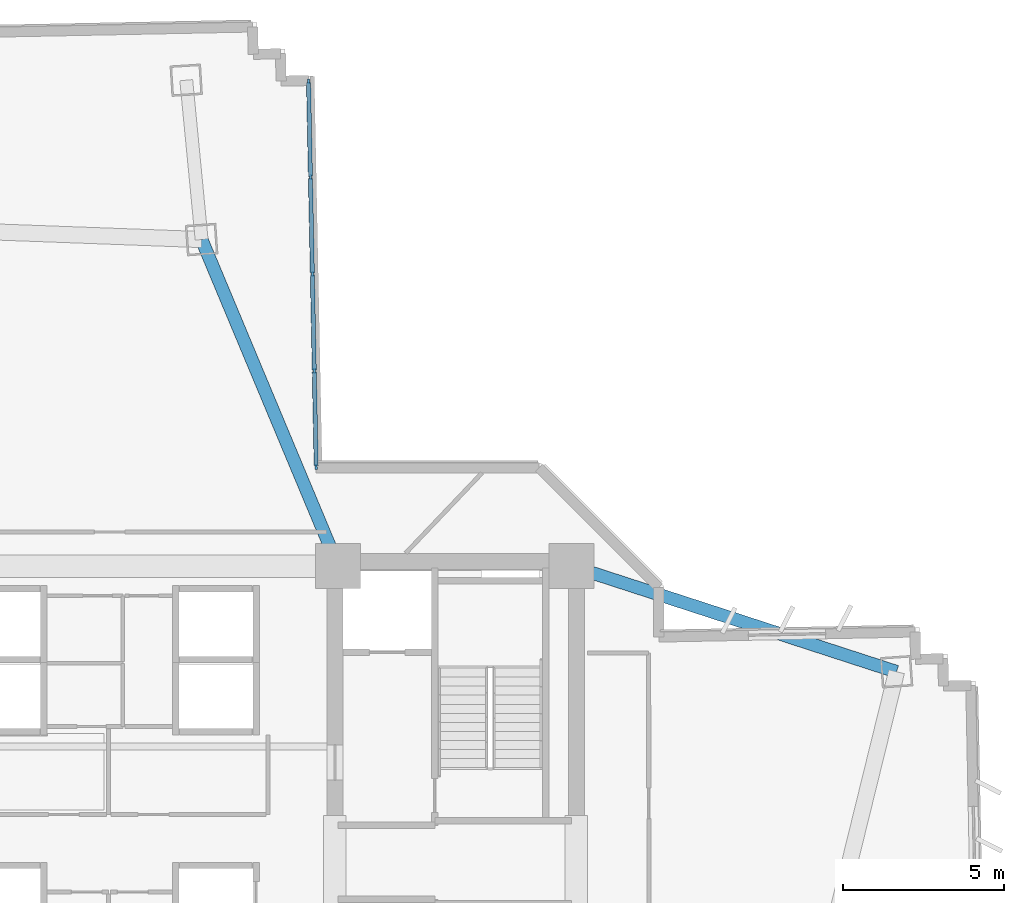
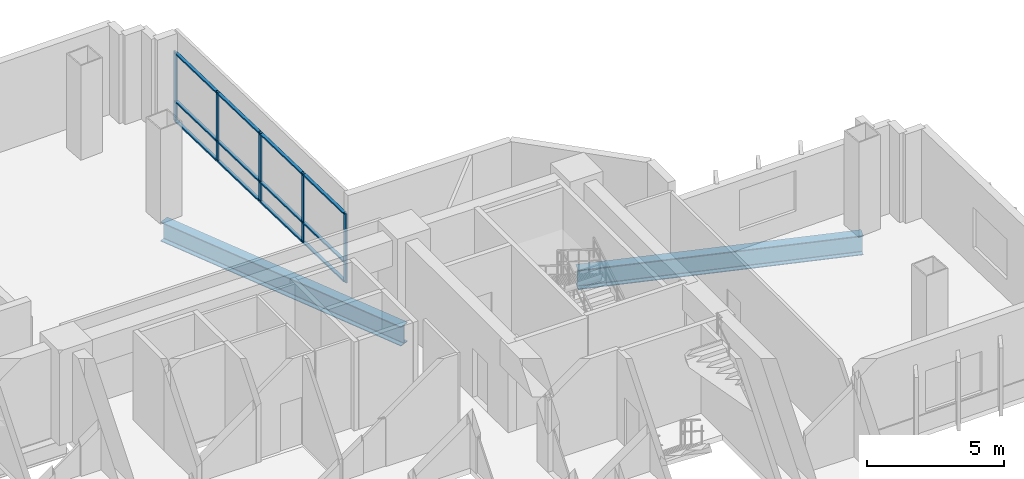
# One storey, part 4 of 15: 17 members, 2 beams, 1 element without a shape of its own.
"""IFC4 building model written with IfcOpenShell, lengths in metres."""

from ifc_helpers import new_model, si_unit, direction, frame, origin, origin_2d, place, context, subcontext, project, spatial, rectangle, i_section, extrude, source, transform, mapped, material, layer, layer_set, material_profile, profile_set, type_object, element, aggregate, save


model = new_model("IFC4")

# Units and contexts
model_context = context("Model", 3, precision=1e-05, world=origin(), true_north=direction((0.0, 1.0)))
body_context = subcontext(model_context, "Body", "Model", "MODEL_VIEW")
ifc_project = project(units=[si_unit("LENGTHUNIT", "METRE"), si_unit("AREAUNIT", "SQUARE_METRE"), si_unit("VOLUMEUNIT", "CUBIC_METRE"), si_unit("PLANEANGLEUNIT", "RADIAN"), si_unit("MASSUNIT", "GRAM", prefix="KILO")], contexts=[model_context])

# Site, building, storey
site_placement = place(None, origin())
site = spatial("IfcSite", under=ifc_project, at=site_placement, CompositionType="ELEMENT")
building_placement = place(site_placement, origin())
building = spatial("IfcBuilding", under=site, at=building_placement, Name="Zahravan Cultural Tower", CompositionType="ELEMENT")
storey_placement = place(building_placement, frame((0.0, 0.0, 45.89990234375)))
storey = spatial("IfcBuildingStorey", under=building, at=storey_placement, Name="L09", CompositionType="ELEMENT", Elevation=45.89990234375)

# Beams
ifc_material_1 = material(Name="Steel ASTM A992 Grade 50", Category="steel")
ifc_material_profile_1 = material_profile(ifc_material_1, i_section(OverallWidth=0.39990234375, OverallDepth=0.862060546875, WebThickness=0.019775390625, FlangeThickness=0.032470703125, FilletRadius=0.02001953125, at=origin_2d()), Name="W33X221")
ifc_profile_set_1 = profile_set([ifc_material_profile_1], Name="Steel ASTM A992 Grade 50")
beam_type = type_object("IfcBeamType", Name="BM-G-W33X221", PredefinedType="BEAM", material=ifc_profile_set_1)
shared_shape_1 = source(origin(), body_context, "Body", "SweptSolid", [
    extrude(i_section(OverallWidth=0.39990234375, OverallDepth=0.862060546875, WebThickness=0.019775390625, FlangeThickness=0.032470703125, FilletRadius=0.02001953125, at=origin_2d()), origin(), (0.0, 0.0, 1.0), 10.615966796875),
])
beam_1_placement = place(storey_placement, frame((50.35009765625, 36.199951171875, -0.680908203125), z_axis=(0.951063640083, -0.30899506875, 0.0), x_axis=(0.30899506875, 0.951063640083, 0.0)))
element("IfcBeam", 1, at=beam_1_placement, inside=storey, type_object=beam_type, Name="L09 Beam BG-L09-11", PredefinedType="BEAM", context=body_context, shape_type="MappedRepresentation", body=[
    mapped(shared_shape_1, transform((0.0, 0.0, 0.0), x_axis=(1.0, 0.0, 0.0), y_axis=(0.0, 1.0, 0.0), z_axis=(0.0, 0.0, 1.0), scale=1.0)),
])
shared_shape_2 = source(origin(), body_context, "Body", "SweptSolid", [
    extrude(i_section(OverallWidth=0.39990234375, OverallDepth=0.862060546875, WebThickness=0.019775390625, FlangeThickness=0.032470703125, FilletRadius=0.02001953125, at=origin_2d()), origin(), (0.0, 0.0, 1.0), 10.997802734375),
])
beam_2_placement = place(storey_placement, frame((43.10009765625, 36.199951171875, -0.680908203125), z_axis=(-0.385775211449, 0.922592806297, 0.0), x_axis=(-0.922592806297, -0.385775211449, 0.0)))
element("IfcBeam", 2, at=beam_2_placement, inside=storey, type_object=beam_type, Name="L09 Beam BG-L09-12", PredefinedType="BEAM", context=body_context, shape_type="MappedRepresentation", body=[
    mapped(shared_shape_2, transform((0.0, 0.0, 0.0), x_axis=(1.0, 0.0, 0.0), y_axis=(0.0, 1.0, 0.0), z_axis=(0.0, 0.0, 1.0), scale=1.0)),
])

# Curtain wall, members
ifc_material_2 = material(Name="Anodised bronze-aluminium mullion", Category="aluminium")
ifc_layer = layer(ifc_material_2, 0.1650390625)
ifc_layer_set = layer_set([ifc_layer], Name="Anodised bronze-aluminium mullion")
curtain_wall_type = type_object("IfcCurtainWallType", Name="CW-SYS-4", PredefinedType="USERDEFINED", material=ifc_layer_set)
curtain_wall_placement = place(storey_placement, origin())
curtain_wall = element("IfcCurtainWall", 3, at=curtain_wall_placement, inside=storey, type_object=curtain_wall_type, Name="L09 Recessed Curtain Wall CW-4.2", ObjectType="RECESSED GLAZING", PredefinedType="USERDEFINED")
ifc_material_profile_2 = material_profile(ifc_material_2, rectangle(XDim=0.06494140625, YDim=0.1650390625, at=origin_2d()), Name="AL-M65X165")
ifc_profile_set_2 = profile_set([ifc_material_profile_2], Name="Anodised bronze-aluminium mullion")
member_type_1 = type_object("IfcMemberType", Name="CWM-CW-4", PredefinedType="MULLION", material=ifc_profile_set_2)
shared_shape_3 = source(origin(), body_context, "Body", "SweptSolid", [
    extrude(rectangle(XDim=0.06494140625, YDim=0.1650390625, at=origin_2d()), origin(), (0.0, 0.0, 1.0), 3.070068359375),
])
member_1_placement = place(storey_placement, frame((42.1787109375, 51.255126953125, 0.0), z_axis=(0.0, 0.0, 1.0), x_axis=(0.999801973139, 0.019900113269, 0.0)))
member_1 = element("IfcMember", 4, at=member_1_placement, type_object=member_type_1, Name="CW-4 mullion 1", PredefinedType="MULLION", context=body_context, shape_type="MappedRepresentation", body=[
    mapped(shared_shape_3, transform((0.0, 0.0, 0.0), x_axis=(1.0, 0.0, 0.0), y_axis=(0.0, 1.0, 0.0), z_axis=(0.0, 0.0, 1.0), scale=1.0)),
])
member_2_placement = place(storey_placement, frame((42.23779296875, 48.28076171875, 0.0), z_axis=(0.0, 0.0, 1.0), x_axis=(0.999801973139, 0.019900113269, 0.0)))
member_2 = element("IfcMember", 5, at=member_2_placement, type_object=member_type_1, Name="CW-4 mullion 2", PredefinedType="MULLION", context=body_context, shape_type="MappedRepresentation", body=[
    mapped(shared_shape_3, transform((0.0, 0.0, 0.0), x_axis=(1.0, 0.0, 0.0), y_axis=(0.0, 1.0, 0.0), z_axis=(0.0, 0.0, 1.0), scale=1.0)),
])
member_3_placement = place(storey_placement, frame((42.297607421875, 45.27392578125, 0.0), z_axis=(0.0, 0.0, 1.0), x_axis=(0.999801973139, 0.019900113269, 0.0)))
member_3 = element("IfcMember", 6, at=member_3_placement, type_object=member_type_1, Name="CW-4 mullion 3", PredefinedType="MULLION", context=body_context, shape_type="MappedRepresentation", body=[
    mapped(shared_shape_3, transform((0.0, 0.0, 0.0), x_axis=(1.0, 0.0, 0.0), y_axis=(0.0, 1.0, 0.0), z_axis=(0.0, 0.0, 1.0), scale=1.0)),
])
member_4_placement = place(storey_placement, frame((42.357666015625, 42.266845703125, 0.0), z_axis=(0.0, 0.0, 1.0), x_axis=(0.999801973139, 0.019900113269, 0.0)))
member_4 = element("IfcMember", 7, at=member_4_placement, type_object=member_type_1, Name="CW-4 mullion 4", PredefinedType="MULLION", context=body_context, shape_type="MappedRepresentation", body=[
    mapped(shared_shape_3, transform((0.0, 0.0, 0.0), x_axis=(1.0, 0.0, 0.0), y_axis=(0.0, 1.0, 0.0), z_axis=(0.0, 0.0, 1.0), scale=1.0)),
])
member_5_placement = place(storey_placement, frame((42.416748046875, 39.29248046875, 0.0), z_axis=(0.0, 0.0, 1.0), x_axis=(0.999801973139, 0.019900113269, 0.0)))
member_5 = element("IfcMember", 8, at=member_5_placement, type_object=member_type_1, Name="CW-4 mullion 5", PredefinedType="MULLION", context=body_context, shape_type="MappedRepresentation", body=[
    mapped(shared_shape_3, transform((0.0, 0.0, 0.0), x_axis=(1.0, 0.0, 0.0), y_axis=(0.0, 1.0, 0.0), z_axis=(0.0, 0.0, 1.0), scale=1.0)),
])
ifc_material_profile_3 = material_profile(ifc_material_2, rectangle(XDim=0.1298828125, YDim=0.06494140625, at=origin_2d()), Name="AL-T65X130")
ifc_profile_set_3 = profile_set([ifc_material_profile_3], Name="Anodised bronze-aluminium mullion")
member_type_2 = type_object("IfcMemberType", Name="CWT-CW-4", PredefinedType="USERDEFINED", material=ifc_profile_set_3)
shared_shape_4 = source(origin(), body_context, "Body", "SweptSolid", [
    extrude(rectangle(XDim=0.1298828125, YDim=0.06494140625, at=origin_2d()), origin(), (0.0, 0.0, 1.0), 2.909912109375),
])
member_6_placement = place(storey_placement, frame((42.17919921875, 51.22265625, 0.03271484375), z_axis=(0.019967487615, -0.999800629845, 0.0), x_axis=(0.999800629845, 0.019967487615, 0.0)))
member_6 = element("IfcMember", 9, at=member_6_placement, type_object=member_type_2, Name="CW-4 transom 1.1", ObjectType="TRANSOM", PredefinedType="USERDEFINED", context=body_context, shape_type="MappedRepresentation", body=[
    mapped(shared_shape_4, transform((0.0, 0.0, 0.0), x_axis=(1.0, 0.0, 0.0), y_axis=(0.0, 1.0, 0.0), z_axis=(0.0, 0.0, 1.0), scale=1.0)),
])
member_7_placement = place(storey_placement, frame((42.17919921875, 51.22265625, 0.900146484375), z_axis=(0.019967487615, -0.999800629845, 0.0), x_axis=(0.999800629845, 0.019967487615, 0.0)))
member_7 = element("IfcMember", 10, at=member_7_placement, type_object=member_type_2, Name="CW-4 transom 1.2", ObjectType="TRANSOM", PredefinedType="USERDEFINED", context=body_context, shape_type="MappedRepresentation", body=[
    mapped(shared_shape_4, transform((0.0, 0.0, 0.0), x_axis=(1.0, 0.0, 0.0), y_axis=(0.0, 1.0, 0.0), z_axis=(0.0, 0.0, 1.0), scale=1.0)),
])
member_8_placement = place(storey_placement, frame((42.17919921875, 51.22265625, 3.03759765625), z_axis=(0.019967487615, -0.999800629845, 0.0), x_axis=(0.999800629845, 0.019967487615, 0.0)))
member_8 = element("IfcMember", 11, at=member_8_placement, type_object=member_type_2, Name="CW-4 transom 1.3", ObjectType="TRANSOM", PredefinedType="USERDEFINED", context=body_context, shape_type="MappedRepresentation", body=[
    mapped(shared_shape_4, transform((0.0, 0.0, 0.0), x_axis=(1.0, 0.0, 0.0), y_axis=(0.0, 1.0, 0.0), z_axis=(0.0, 0.0, 1.0), scale=1.0)),
])
member_9_placement = place(storey_placement, frame((42.358154296875, 42.234375, 0.03271484375), z_axis=(0.019883623847, -0.999802301209, 0.0), x_axis=(0.999802301209, 0.019883623847, 0.0)))
member_9 = element("IfcMember", 12, at=member_9_placement, type_object=member_type_2, Name="CW-4 transom 4.1", ObjectType="TRANSOM", PredefinedType="USERDEFINED", context=body_context, shape_type="MappedRepresentation", body=[
    mapped(shared_shape_4, transform((0.0, 0.0, 0.0), x_axis=(1.0, 0.0, 0.0), y_axis=(0.0, 1.0, 0.0), z_axis=(0.0, 0.0, 1.0), scale=1.0)),
])
member_10_placement = place(storey_placement, frame((42.358154296875, 42.234375, 0.900146484375), z_axis=(0.019883623847, -0.999802301209, 0.0), x_axis=(0.999802301209, 0.019883623847, 0.0)))
member_10 = element("IfcMember", 13, at=member_10_placement, type_object=member_type_2, Name="CW-4 transom 4.2", ObjectType="TRANSOM", PredefinedType="USERDEFINED", context=body_context, shape_type="MappedRepresentation", body=[
    mapped(shared_shape_4, transform((0.0, 0.0, 0.0), x_axis=(1.0, 0.0, 0.0), y_axis=(0.0, 1.0, 0.0), z_axis=(0.0, 0.0, 1.0), scale=1.0)),
])
member_11_placement = place(storey_placement, frame((42.358154296875, 42.234375, 3.03759765625), z_axis=(0.019883623847, -0.999802301209, 0.0), x_axis=(0.999802301209, 0.019883623847, 0.0)))
member_11 = element("IfcMember", 14, at=member_11_placement, type_object=member_type_2, Name="CW-4 transom 4.3", ObjectType="TRANSOM", PredefinedType="USERDEFINED", context=body_context, shape_type="MappedRepresentation", body=[
    mapped(shared_shape_4, transform((0.0, 0.0, 0.0), x_axis=(1.0, 0.0, 0.0), y_axis=(0.0, 1.0, 0.0), z_axis=(0.0, 0.0, 1.0), scale=1.0)),
])
shared_shape_5 = source(origin(), body_context, "Body", "SweptSolid", [
    extrude(rectangle(XDim=0.1298828125, YDim=0.06494140625, at=origin_2d()), origin(), (0.0, 0.0, 1.0), 2.9423828125),
])
member_12_placement = place(storey_placement, frame((42.238525390625, 48.248291015625, 0.03271484375), z_axis=(0.019913063209, -0.999801715298, 0.0), x_axis=(0.999801715298, 0.019913063209, 0.0)))
member_12 = element("IfcMember", 15, at=member_12_placement, type_object=member_type_2, Name="CW-4 transom 2.1", ObjectType="TRANSOM", PredefinedType="USERDEFINED", context=body_context, shape_type="MappedRepresentation", body=[
    mapped(shared_shape_5, transform((0.0, 0.0, 0.0), x_axis=(1.0, 0.0, 0.0), y_axis=(0.0, 1.0, 0.0), z_axis=(0.0, 0.0, 1.0), scale=1.0)),
])
member_13_placement = place(storey_placement, frame((42.238525390625, 48.248291015625, 0.900146484375), z_axis=(0.019913063209, -0.999801715298, 0.0), x_axis=(0.999801715298, 0.019913063209, 0.0)))
member_13 = element("IfcMember", 16, at=member_13_placement, type_object=member_type_2, Name="CW-4 transom 2.2", ObjectType="TRANSOM", PredefinedType="USERDEFINED", context=body_context, shape_type="MappedRepresentation", body=[
    mapped(shared_shape_5, transform((0.0, 0.0, 0.0), x_axis=(1.0, 0.0, 0.0), y_axis=(0.0, 1.0, 0.0), z_axis=(0.0, 0.0, 1.0), scale=1.0)),
])
member_14_placement = place(storey_placement, frame((42.238525390625, 48.248291015625, 3.03759765625), z_axis=(0.019913063209, -0.999801715298, 0.0), x_axis=(0.999801715298, 0.019913063209, 0.0)))
member_14 = element("IfcMember", 17, at=member_14_placement, type_object=member_type_2, Name="CW-4 transom 2.3", ObjectType="TRANSOM", PredefinedType="USERDEFINED", context=body_context, shape_type="MappedRepresentation", body=[
    mapped(shared_shape_5, transform((0.0, 0.0, 0.0), x_axis=(1.0, 0.0, 0.0), y_axis=(0.0, 1.0, 0.0), z_axis=(0.0, 0.0, 1.0), scale=1.0)),
])
shared_shape_6 = source(origin(), body_context, "Body", "SweptSolid", [
    extrude(rectangle(XDim=0.1298828125, YDim=0.06494140625, at=origin_2d()), origin(), (0.0, 0.0, 1.0), 2.942626953125),
])
member_15_placement = place(storey_placement, frame((42.29833984375, 45.241455078125, 0.03271484375), z_axis=(0.019911411465, -0.999801748195, 0.0), x_axis=(0.999801748195, 0.019911411465, 0.0)))
member_15 = element("IfcMember", 18, at=member_15_placement, type_object=member_type_2, Name="CW-4 transom 3.1", ObjectType="TRANSOM", PredefinedType="USERDEFINED", context=body_context, shape_type="MappedRepresentation", body=[
    mapped(shared_shape_6, transform((0.0, 0.0, 0.0), x_axis=(1.0, 0.0, 0.0), y_axis=(0.0, 1.0, 0.0), z_axis=(0.0, 0.0, 1.0), scale=1.0)),
])
member_16_placement = place(storey_placement, frame((42.29833984375, 45.241455078125, 0.900146484375), z_axis=(0.019911411465, -0.999801748195, 0.0), x_axis=(0.999801748195, 0.019911411465, 0.0)))
member_16 = element("IfcMember", 19, at=member_16_placement, type_object=member_type_2, Name="CW-4 transom 3.2", ObjectType="TRANSOM", PredefinedType="USERDEFINED", context=body_context, shape_type="MappedRepresentation", body=[
    mapped(shared_shape_6, transform((0.0, 0.0, 0.0), x_axis=(1.0, 0.0, 0.0), y_axis=(0.0, 1.0, 0.0), z_axis=(0.0, 0.0, 1.0), scale=1.0)),
])
member_17_placement = place(storey_placement, frame((42.29833984375, 45.241455078125, 3.03759765625), z_axis=(0.019911411465, -0.999801748195, 0.0), x_axis=(0.999801748195, 0.019911411465, 0.0)))
member_17 = element("IfcMember", 20, at=member_17_placement, type_object=member_type_2, Name="CW-4 transom 3.3", ObjectType="TRANSOM", PredefinedType="USERDEFINED", context=body_context, shape_type="MappedRepresentation", body=[
    mapped(shared_shape_6, transform((0.0, 0.0, 0.0), x_axis=(1.0, 0.0, 0.0), y_axis=(0.0, 1.0, 0.0), z_axis=(0.0, 0.0, 1.0), scale=1.0)),
])
aggregate(curtain_wall, [member_1, member_2, member_3, member_4, member_5, member_6, member_7, member_8, member_12, member_13, member_14, member_15, member_16, member_17, member_9, member_10, member_11])

save(model, "model.ifc")
